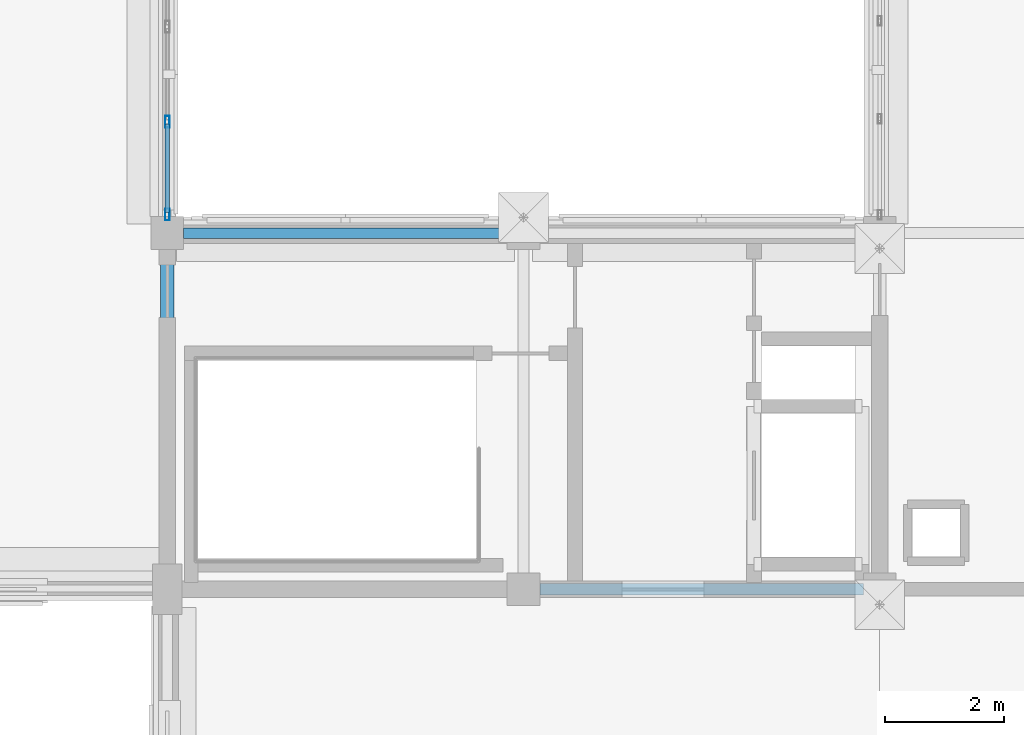
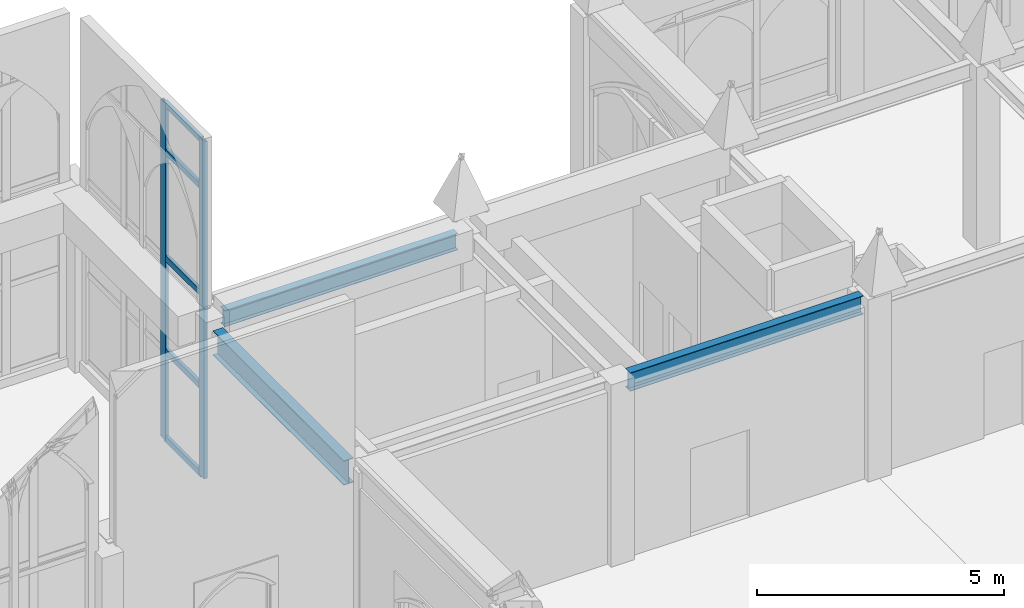
# One storey, part 47 of 108: 7 members, 3 beams, 1 element without a shape of its own.
"""IFC4 building model written with IfcOpenShell, lengths in metres."""

import ifcopenshell
import ifcopenshell.guid

model = None  # the IFC model being written
_history = None  # IfcOwnerHistory: only IFC2X3 demands one
_inside = {}  # id of a spatial element -> (the spatial element, [elements in it])
_under = {}  # id of a project, library or spatial element -> (it, [spatial elements below it])
_declared = {}  # id of a project -> (the project, [libraries it declares])
_typed = {}  # id of a type object -> (the type object, [elements of that type])
_made_of = {}  # id of a material, layer set ... -> (it, [elements and type objects made of it])


def new_model(schema):
    """Start an empty IFC model of exactly this schema.

    Asked for "IFC4X3", IfcOpenShell would pick the latest addendum, in which some entities
    have other attributes; the version numbers below select the first issue.
    IFC2X3 requires an IfcOwnerHistory on every rooted entity: one is made here for all.
    """
    global model, _history
    if schema == "IFC4X3":
        model = ifcopenshell.file(schema_version=(4, 3, 0, 0))
    else:
        model = ifcopenshell.file(schema=schema)
    _inside.clear()
    _under.clear()
    _declared.clear()
    _typed.clear()
    _made_of.clear()
    _history = None
    if model.schema == "IFC2X3":
        org = make("IfcOrganization", Name="unknown")
        user = make(
            "IfcPersonAndOrganization",
            ThePerson=make("IfcPerson", FamilyName="unknown"),
            TheOrganization=org,
        )
        app = make(
            "IfcApplication",
            ApplicationDeveloper=org,
            Version="unknown",
            ApplicationFullName="unknown",
            ApplicationIdentifier="unknown",
        )
        _history = make(
            "IfcOwnerHistory",
            OwningUser=user,
            OwningApplication=app,
            ChangeAction="ADDED",
            CreationDate=0,
        )
    return model


def make(cls, **values):
    """One entity of the class cls with the attributes given. An attribute that is None is left unset."""
    return model.create_entity(
        cls, **{name: value for name, value in values.items() if value is not None}
    )


def rooted(cls, **values):
    """An entity with a GlobalId (a new one), such as an element, a storey or a relation."""
    return make(cls, GlobalId=ifcopenshell.guid.new(), OwnerHistory=_history, **values)


def si_unit(unit_type, name, prefix=None):
    """IfcSIUnit, for example si_unit("LENGTHUNIT", "METRE", prefix="MILLI")."""
    return make("IfcSIUnit", UnitType=unit_type, Prefix=prefix, Name=name)


def assignment(units):
    """IfcUnitAssignment: the units of a project."""
    return None if units is None else make("IfcUnitAssignment", Units=units)


def point(xyz):
    """IfcCartesianPoint."""
    return None if xyz is None else make("IfcCartesianPoint", Coordinates=xyz)


def direction(xyz):
    """IfcDirection."""
    return None if xyz is None else make("IfcDirection", DirectionRatios=xyz)


def frame(location, z_axis=None, x_axis=None):
    """IfcAxis2Placement3D, a coordinate frame: its origin and axes. An axis left out is left unset."""
    return make(
        "IfcAxis2Placement3D",
        Location=point(location),
        Axis=direction(z_axis),
        RefDirection=direction(x_axis),
    )


def frame_2d(location, x_axis=None):
    """IfcAxis2Placement2D, a coordinate frame in the plane: its origin and x axis."""
    return make(
        "IfcAxis2Placement2D", Location=point(location), RefDirection=direction(x_axis)
    )


def origin():
    """The frame at (0, 0, 0) with its axes left unset."""
    return frame((0.0, 0.0, 0.0))


def origin_2d():
    """The frame at (0, 0) in the plane with its x axis left unset."""
    return frame_2d((0.0, 0.0))


def place(relative_to, where):
    """IfcLocalPlacement: puts the frame where relative to a parent placement (None: the world)."""
    return make(
        "IfcLocalPlacement", PlacementRelTo=relative_to, RelativePlacement=where
    )


def context(
    kind, dimensions, precision=None, world=None, true_north=None, identifier=None
):
    """IfcGeometricRepresentationContext, for example the 3D "Model" context."""
    return make(
        "IfcGeometricRepresentationContext",
        ContextIdentifier=identifier,
        ContextType=kind,
        CoordinateSpaceDimension=dimensions,
        Precision=precision,
        WorldCoordinateSystem=world,
        TrueNorth=true_north,
    )


def subcontext(parent, identifier, kind, view, scale=None):
    """IfcGeometricRepresentationSubContext, for example "Body" below "Model"."""
    return make(
        "IfcGeometricRepresentationSubContext",
        ContextIdentifier=identifier,
        ContextType=kind,
        ParentContext=parent,
        TargetScale=scale,
        TargetView=view,
    )


def project(units=None, contexts=None):
    """IfcProject with its units and contexts."""
    return rooted(
        "IfcProject",
        Name="project",
        RepresentationContexts=contexts,
        UnitsInContext=assignment(units),
    )


def spatial(cls, under=None, at=None, **own):
    """A site, building, storey or space (cls), placed at a placement, below another one or the project."""
    s = rooted(cls, ObjectPlacement=at, **own)
    if under is not None:
        _under.setdefault(under.id(), (under, []))[1].append(s)
    return s


def profile(cls, at=None, kind="AREA", **sizes):
    """A parametric profile (cls). Its sizes go by their IFC names, for example OverallWidth=200.0."""
    return make(cls, ProfileType=kind, Position=at, **sizes)


def hollow_rectangle(**sizes):
    """IfcRectangleHollowProfileDef."""
    return profile("IfcRectangleHollowProfileDef", **sizes)


def i_section(**sizes):
    """IfcIShapeProfileDef."""
    return profile("IfcIShapeProfileDef", **sizes)


def extrude(swept, where, along, depth):
    """IfcExtrudedAreaSolid: the profile swept, set in the frame where, extruded along a direction by depth."""
    return make(
        "IfcExtrudedAreaSolid",
        SweptArea=swept,
        Position=where,
        ExtrudedDirection=direction(along),
        Depth=depth,
    )


def shape(context_of_items, identifier, shape_type, items):
    """IfcShapeRepresentation: the items that make up one representation, for example the "Body"."""
    return make(
        "IfcShapeRepresentation",
        ContextOfItems=context_of_items,
        RepresentationIdentifier=identifier,
        RepresentationType=shape_type,
        Items=items,
    )


def material(Name=None, Category=None):
    """IfcMaterial."""
    return make("IfcMaterial", Name=Name, Category=Category)


def layer(
    of_material, thickness, ventilated=None, Name=None, Category=None, Priority=None
):
    """IfcMaterialLayer: one layer of a wall or slab, of a material (None: an air gap)."""
    return make(
        "IfcMaterialLayer",
        Material=of_material,
        LayerThickness=thickness,
        IsVentilated=ventilated,
        Name=Name,
        Category=Category,
        Priority=Priority,
    )


def layer_set(layers, Name=None):
    """IfcMaterialLayerSet."""
    return make("IfcMaterialLayerSet", MaterialLayers=layers, LayerSetName=Name)


def material_profile(
    of_material, cross_section, Name=None, Category=None, Priority=None
):
    """IfcMaterialProfile: a cross section and its material."""
    return make(
        "IfcMaterialProfile",
        Name=Name,
        Material=of_material,
        Profile=cross_section,
        Priority=Priority,
        Category=Category,
    )


def profile_set(profiles, Name=None, composite=None):
    """IfcMaterialProfileSet."""
    return make(
        "IfcMaterialProfileSet",
        Name=Name,
        MaterialProfiles=profiles,
        CompositeProfile=composite,
    )


def made_of(thing, what):
    """Note that an element or type object is made of a material, layer set ...; save() writes the relation."""
    if what is not None:
        _made_of.setdefault(what.id(), (what, []))[1].append(thing)
    return thing


def type_object(cls, material=None, **own):
    """A type object (cls), such as IfcWallType, which elements share."""
    return made_of(rooted(cls, **own), material)


def element(
    cls,
    number,
    at=None,
    inside=None,
    cuts=None,
    type_object=None,
    material=None,
    context=None,
    identifier="Body",
    shape_type=None,
    held_by="IfcProductDefinitionShape",
    body=None,
    shapes=None,
    **own,
):
    """One element of the class cls, such as IfcWall. Its Tag is "e" and its number.

    at: its placement. inside: the storey or other place that contains it. cuts: it is an
    opening in that element (IfcRelVoidsElement). A single representation is given by context,
    identifier, shape_type and body (its items); several are given by shapes. held_by: the class
    of the entity that holds the representations. save() writes the other relations.
    """
    e = rooted(cls, Tag="e%d" % number, ObjectPlacement=at, **own)
    if body is not None:
        shapes = [shape(context, identifier, shape_type, body)]
    if shapes is not None:
        e.Representation = make(held_by, Representations=shapes)
    if inside is not None:
        _inside.setdefault(inside.id(), (inside, []))[1].append(e)
    if cuts is not None:
        rooted(
            "IfcRelVoidsElement", RelatingBuildingElement=cuts, RelatedOpeningElement=e
        )
    if type_object is not None:
        _typed.setdefault(type_object.id(), (type_object, []))[1].append(e)
    return made_of(e, material)


def aggregate(whole, parts):
    """IfcRelAggregates: a whole, such as a stair, and the parts it consists of."""
    return rooted("IfcRelAggregates", RelatingObject=whole, RelatedObjects=parts)


def save(model, path):
    """Write the relations noted so far, then the file.

    IfcRelAggregates (storeys below a building ...), IfcRelContainedInSpatialStructure (elements
    in a storey), IfcRelDefinesByType, IfcRelAssociatesMaterial and IfcRelDeclares: one each for
    every whole, place, type object, material and project.
    """
    for whole, parts in _under.values():
        aggregate(whole, parts)
    for where, things in _inside.values():
        rooted(
            "IfcRelContainedInSpatialStructure",
            RelatedElements=things,
            RelatingStructure=where,
        )
    for kind, things in _typed.values():
        rooted("IfcRelDefinesByType", RelatedObjects=things, RelatingType=kind)
    for what, things in _made_of.values():
        rooted("IfcRelAssociatesMaterial", RelatedObjects=things, RelatingMaterial=what)
    for by, libraries in _declared.values():
        rooted("IfcRelDeclares", RelatingContext=by, RelatedDefinitions=libraries)
    model.write(path)


model = new_model("IFC4")

# Units and contexts
model_context = context("Model", 3, precision=1e-05, world=origin(), true_north=direction((0.0, 1.0)))
body_context = subcontext(model_context, "Body", "Model", "MODEL_VIEW")
ifc_project = project(units=[si_unit("LENGTHUNIT", "METRE"), si_unit("AREAUNIT", "SQUARE_METRE"), si_unit("VOLUMEUNIT", "CUBIC_METRE"), si_unit("PLANEANGLEUNIT", "RADIAN"), si_unit("MASSUNIT", "GRAM", prefix="KILO")], contexts=[model_context])

# Site, building, storey
site_placement = place(None, origin())
site = spatial("IfcSite", under=ifc_project, at=site_placement, CompositionType="ELEMENT")
building_placement = place(site_placement, origin())
building = spatial("IfcBuilding", under=site, at=building_placement, Name="Cumevento Cable Car Station", CompositionType="ELEMENT")
storey_placement = place(building_placement, frame((0.0, 0.0, 13.5)))
storey = spatial("IfcBuildingStorey", under=building, at=storey_placement, Name="L04", CompositionType="ELEMENT", Elevation=13.5)

# Curtain wall, members
ifc_material_1 = material(Name="Anodised Bronze Aluminium AW-6063-T6", Category="aluminium")
ifc_layer = layer(ifc_material_1, 0.219970703125)
ifc_layer_set = layer_set([ifc_layer], Name="Anodised Bronze Aluminium AW-6063-T6")
curtain_wall_type = type_object("IfcCurtainWallType", Name="Lancet Curtain Wall CW-11 1450", PredefinedType="NOTDEFINED", material=ifc_layer_set)
curtain_wall_placement = place(storey_placement, origin())
curtain_wall = element("IfcCurtainWall", 1, at=curtain_wall_placement, inside=storey, type_object=curtain_wall_type, Name="Lancet Curtain Wall CW-11 L04 #170", PredefinedType="NOTDEFINED")
ifc_material_2 = material(Name="Anodised Bronze Aluminium AW-6063-T6", Category="aluminium")
ifc_material_profile_1 = material_profile(ifc_material_2, hollow_rectangle(XDim=0.074951171875, YDim=0.199951171875, WallThickness=0.0048828125, at=origin_2d()), Name="ALUM75x200x5")
ifc_profile_set_1 = profile_set([ifc_material_profile_1], Name="Anodised Bronze Aluminium AW-6063-T6")
member_type_1 = type_object("IfcMemberType", Name="Curtain Mullion CWM-02 ALUM75x200x5", PredefinedType="MULLION", material=ifc_profile_set_1)
member_1_placement = place(storey_placement, frame((118.0, 52.875, 0.260009765625), z_axis=(0.0, 0.0, 1.0), x_axis=(1.0, 0.0, 0.0)))
member_1 = element("IfcMember", 2, at=member_1_placement, type_object=member_type_1, Name="CW-11 mullion 3", PredefinedType="MULLION", context=body_context, shape_type="SweptSolid", body=[
    extrude(hollow_rectangle(XDim=0.074951171875, YDim=0.199951171875, WallThickness=0.0048828125, at=origin_2d()), origin(), (0.0, 0.0, 1.0), 8.3330078125),
])
member_2_placement = place(storey_placement, frame((118.0, 51.3125, 0.260009765625), z_axis=(0.0, 0.0, 1.0), x_axis=(1.0, 0.0, 0.0)))
member_2 = element("IfcMember", 3, at=member_2_placement, type_object=member_type_1, Name="CW-11 mullion 4", PredefinedType="MULLION", context=body_context, shape_type="SweptSolid", body=[
    extrude(hollow_rectangle(XDim=0.074951171875, YDim=0.199951171875, WallThickness=0.0048828125, at=origin_2d()), origin(), (0.0, 0.0, 1.0), 8.3330078125),
])
ifc_material_3 = material(Name="Anodised Bronze Aluminium AW-6063-T6", Category="aluminium")
ifc_material_profile_2 = material_profile(ifc_material_3, hollow_rectangle(XDim=0.074951171875, YDim=0.14501953125, WallThickness=0.00439453125, at=origin_2d()), Name="ALUT75x145x4.5")
ifc_profile_set_2 = profile_set([ifc_material_profile_2], Name="Anodised Bronze Aluminium AW-6063-T6")
member_type_2 = type_object("IfcMemberType", Name="Curtain Transom CWT-02 ALUT75x145x4.5", PredefinedType="USERDEFINED", material=ifc_profile_set_2)
member_3_placement = place(storey_placement, frame((118.0, 52.83740234375, 0.297607421875), z_axis=(0.0, -1.0, 0.0), x_axis=(1.0, 0.0, 0.0)))
member_3 = element("IfcMember", 4, at=member_3_placement, type_object=member_type_2, Name="CW-11 transom 3.1", ObjectType="TRANSOM", PredefinedType="USERDEFINED", context=body_context, shape_type="SweptSolid", body=[
    extrude(hollow_rectangle(XDim=0.074951171875, YDim=0.14501953125, WallThickness=0.00439453125, at=origin_2d()), origin(), (0.0, 0.0, 1.0), 1.4873046875),
])
member_4_placement = place(storey_placement, frame((118.0, 52.83740234375, 2.4599609375), z_axis=(0.0, -1.0, 0.0), x_axis=(1.0, 0.0, 0.0)))
member_4 = element("IfcMember", 5, at=member_4_placement, type_object=member_type_2, Name="CW-11 transom 3.2", ObjectType="TRANSOM", PredefinedType="USERDEFINED", context=body_context, shape_type="SweptSolid", body=[
    extrude(hollow_rectangle(XDim=0.074951171875, YDim=0.14501953125, WallThickness=0.00439453125, at=origin_2d()), origin(), (0.0, 0.0, 1.0), 1.4873046875),
])
member_5_placement = place(storey_placement, frame((118.0, 52.83740234375, 4.760009765625), z_axis=(0.0, -1.0, 0.0), x_axis=(1.0, 0.0, 0.0)))
member_5 = element("IfcMember", 6, at=member_5_placement, type_object=member_type_2, Name="CW-11 transom 3.3", ObjectType="TRANSOM", PredefinedType="USERDEFINED", context=body_context, shape_type="SweptSolid", body=[
    extrude(hollow_rectangle(XDim=0.074951171875, YDim=0.14501953125, WallThickness=0.00439453125, at=origin_2d()), origin(), (0.0, 0.0, 1.0), 1.4873046875),
])
member_6_placement = place(storey_placement, frame((118.0, 52.83740234375, 7.39306640625), z_axis=(0.0, -1.0, 0.0), x_axis=(1.0, 0.0, 0.0)))
member_6 = element("IfcMember", 7, at=member_6_placement, type_object=member_type_2, Name="CW-11 transom 3.4", ObjectType="TRANSOM", PredefinedType="USERDEFINED", context=body_context, shape_type="SweptSolid", body=[
    extrude(hollow_rectangle(XDim=0.074951171875, YDim=0.14501953125, WallThickness=0.00439453125, at=origin_2d()), origin(), (0.0, 0.0, 1.0), 1.4873046875),
])
member_7_placement = place(storey_placement, frame((118.0, 52.83740234375, 8.555419921875), z_axis=(0.0, -1.0, 0.0), x_axis=(1.0, 0.0, 0.0)))
member_7 = element("IfcMember", 8, at=member_7_placement, type_object=member_type_2, Name="CW-11 transom 3.5", ObjectType="TRANSOM", PredefinedType="USERDEFINED", context=body_context, shape_type="SweptSolid", body=[
    extrude(hollow_rectangle(XDim=0.074951171875, YDim=0.14501953125, WallThickness=0.00439453125, at=origin_2d()), origin(), (0.0, 0.0, 1.0), 1.4873046875),
])
aggregate(curtain_wall, [member_1, member_2, member_3, member_4, member_5, member_6, member_7])

# Beams
ifc_material_4 = material(Name="Steel ASTM A572 Grade 50", Category="steel")
ifc_material_profile_3 = material_profile(ifc_material_4, i_section(OverallWidth=0.22802734375, OverallDepth=0.60791015625, WebThickness=0.01123046875, FlangeThickness=0.017333984375, at=origin_2d()), Name="W610x113.0")
ifc_profile_set_3 = profile_set([ifc_material_profile_3], Name="Steel ASTM A572 Grade 50")
beam_type_1 = type_object("IfcBeamType", Name="Structural Beam BM-02 W610x113.0", PredefinedType="BEAM", material=ifc_profile_set_3)
beam_1_placement = place(storey_placement, frame((118.0, 45.425048828125, 3.946044921875), z_axis=(0.0, 1.0, 0.0), x_axis=(-1.0, 0.0, 0.0)))
element("IfcBeam", 9, at=beam_1_placement, inside=storey, type_object=beam_type_1, Name="Beam BM-02 L04 #1435", PredefinedType="BEAM", context=body_context, shape_type="SweptSolid", body=[
    extrude(i_section(OverallWidth=0.22802734375, OverallDepth=0.60791015625, WebThickness=0.01123046875, FlangeThickness=0.017333984375, at=origin_2d()), origin(), (0.0, 0.0, 1.0), 5.300048828125),
])
ifc_material_5 = material(Name="Steel ASTM A572 Grade 50", Category="steel")
ifc_material_profile_4 = material_profile(ifc_material_5, i_section(OverallWidth=0.18994140625, OverallDepth=0.45703125, WebThickness=0.009033203125, FlangeThickness=0.014404296875, at=origin_2d()), Name="W460x74.0")
ifc_profile_set_4 = profile_set([ifc_material_profile_4], Name="Steel ASTM A572 Grade 50")
beam_type_2 = type_object("IfcBeamType", Name="Structural Beam BM-04 W460x74.0", PredefinedType="BEAM", material=ifc_profile_set_4)
beam_2_placement = place(storey_placement, frame((124.27490234375, 45.0, 4.271484375), z_axis=(1.0, 0.0, 0.0), x_axis=(0.0, 1.0, 0.0)))
element("IfcBeam", 10, at=beam_2_placement, inside=storey, type_object=beam_type_2, Name="Beam BM-04 L04 #1465", PredefinedType="BEAM", context=body_context, shape_type="SweptSolid", body=[
    extrude(i_section(OverallWidth=0.18994140625, OverallDepth=0.45703125, WebThickness=0.009033203125, FlangeThickness=0.014404296875, at=origin_2d()), origin(), (0.0, 0.0, 1.0), 5.4501953125),
])
ifc_material_6 = material(Name="Steel ASTM A572 Grade 50", Category="steel")
ifc_material_profile_5 = material_profile(ifc_material_6, i_section(OverallWidth=0.177978515625, OverallDepth=0.406982421875, WebThickness=0.0078125, FlangeThickness=0.0126953125, at=origin_2d()), Name="W410x60.0")
ifc_profile_set_5 = profile_set([ifc_material_profile_5], Name="Steel ASTM A572 Grade 50")
beam_type_3 = type_object("IfcBeamType", Name="Structural Spandrel SP-01 W410x60.0", PredefinedType="SPANDREL", material=ifc_profile_set_5)
beam_3_placement = place(storey_placement, frame((118.27490234375, 51.0, 4.29638671875), z_axis=(1.0, 0.0, 0.0), x_axis=(0.0, 1.0, 0.0)))
element("IfcBeam", 11, at=beam_3_placement, inside=storey, type_object=beam_type_3, Name="Beam SP-01 L04 #1482", PredefinedType="SPANDREL", context=body_context, shape_type="SweptSolid", body=[
    extrude(i_section(OverallWidth=0.177978515625, OverallDepth=0.406982421875, WebThickness=0.0078125, FlangeThickness=0.0126953125, at=origin_2d()), origin(), (0.0, 0.0, 1.0), 5.4501953125),
])

save(model, "model.ifc")
